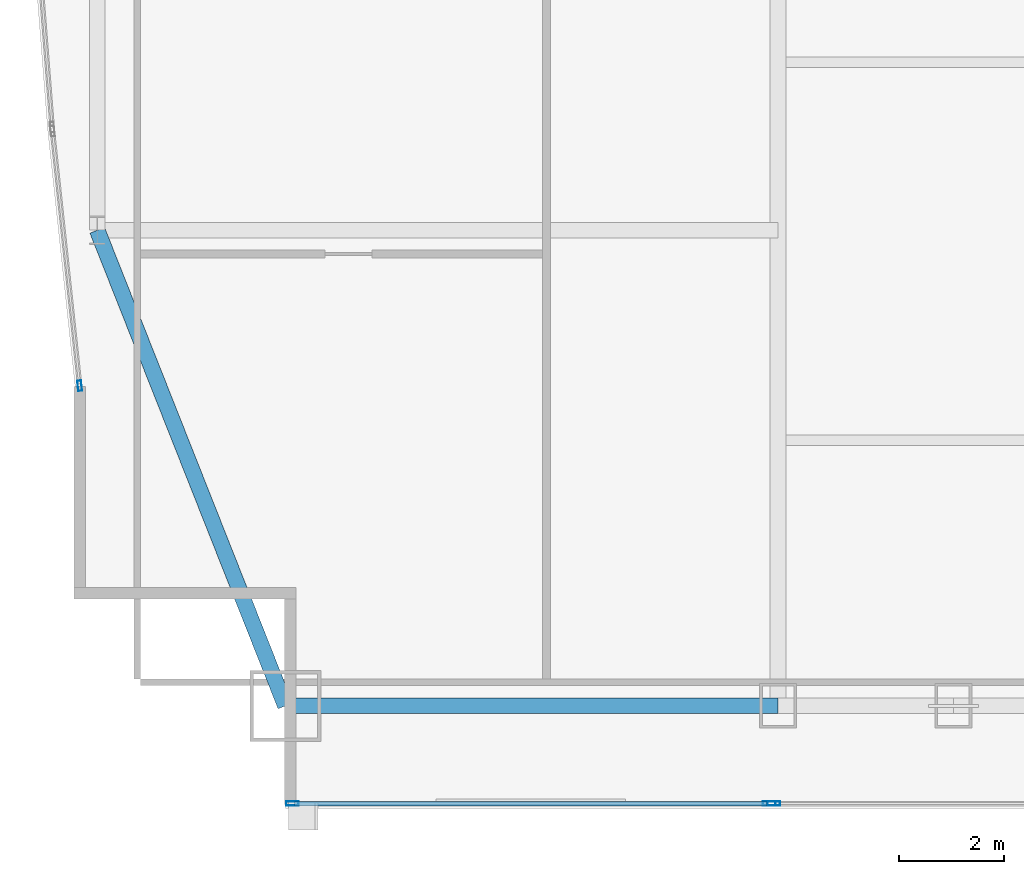
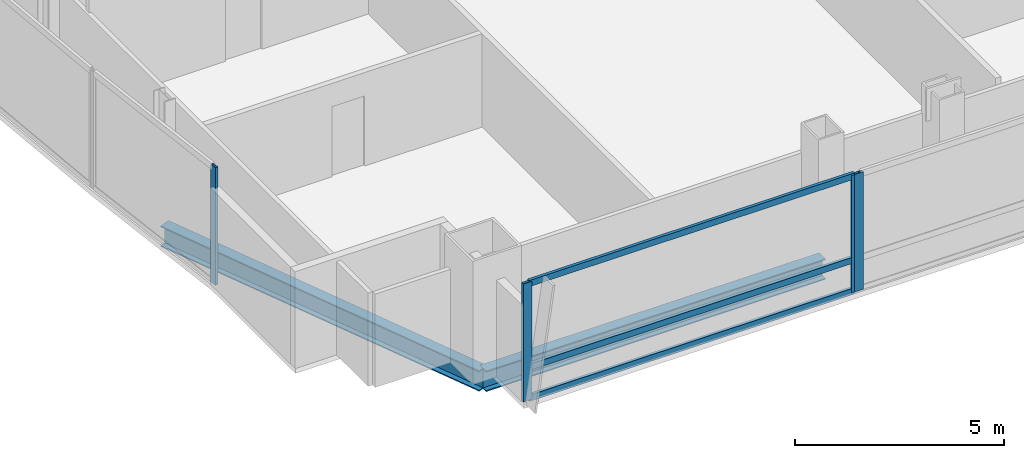
# One storey, part 5 of 29: 7 members, 2 beams, 3 elements without a shape of their own.
"""IFC4 building model written with IfcOpenShell, lengths in metres."""

import ifcopenshell
import ifcopenshell.guid

model = None  # the IFC model being written
_history = None  # IfcOwnerHistory: only IFC2X3 demands one
_inside = {}  # id of a spatial element -> (the spatial element, [elements in it])
_under = {}  # id of a project, library or spatial element -> (it, [spatial elements below it])
_declared = {}  # id of a project -> (the project, [libraries it declares])
_typed = {}  # id of a type object -> (the type object, [elements of that type])
_made_of = {}  # id of a material, layer set ... -> (it, [elements and type objects made of it])


def new_model(schema):
    """Start an empty IFC model of exactly this schema.

    Asked for "IFC4X3", IfcOpenShell would pick the latest addendum, in which some entities
    have other attributes; the version numbers below select the first issue.
    IFC2X3 requires an IfcOwnerHistory on every rooted entity: one is made here for all.
    """
    global model, _history
    if schema == "IFC4X3":
        model = ifcopenshell.file(schema_version=(4, 3, 0, 0))
    else:
        model = ifcopenshell.file(schema=schema)
    _inside.clear()
    _under.clear()
    _declared.clear()
    _typed.clear()
    _made_of.clear()
    _history = None
    if model.schema == "IFC2X3":
        org = make("IfcOrganization", Name="unknown")
        user = make(
            "IfcPersonAndOrganization",
            ThePerson=make("IfcPerson", FamilyName="unknown"),
            TheOrganization=org,
        )
        app = make(
            "IfcApplication",
            ApplicationDeveloper=org,
            Version="unknown",
            ApplicationFullName="unknown",
            ApplicationIdentifier="unknown",
        )
        _history = make(
            "IfcOwnerHistory",
            OwningUser=user,
            OwningApplication=app,
            ChangeAction="ADDED",
            CreationDate=0,
        )
    return model


def make(cls, **values):
    """One entity of the class cls with the attributes given. An attribute that is None is left unset."""
    return model.create_entity(
        cls, **{name: value for name, value in values.items() if value is not None}
    )


def rooted(cls, **values):
    """An entity with a GlobalId (a new one), such as an element, a storey or a relation."""
    return make(cls, GlobalId=ifcopenshell.guid.new(), OwnerHistory=_history, **values)


def si_unit(unit_type, name, prefix=None):
    """IfcSIUnit, for example si_unit("LENGTHUNIT", "METRE", prefix="MILLI")."""
    return make("IfcSIUnit", UnitType=unit_type, Prefix=prefix, Name=name)


def assignment(units):
    """IfcUnitAssignment: the units of a project."""
    return None if units is None else make("IfcUnitAssignment", Units=units)


def point(xyz):
    """IfcCartesianPoint."""
    return None if xyz is None else make("IfcCartesianPoint", Coordinates=xyz)


def direction(xyz):
    """IfcDirection."""
    return None if xyz is None else make("IfcDirection", DirectionRatios=xyz)


def frame(location, z_axis=None, x_axis=None):
    """IfcAxis2Placement3D, a coordinate frame: its origin and axes. An axis left out is left unset."""
    return make(
        "IfcAxis2Placement3D",
        Location=point(location),
        Axis=direction(z_axis),
        RefDirection=direction(x_axis),
    )


def frame_2d(location, x_axis=None):
    """IfcAxis2Placement2D, a coordinate frame in the plane: its origin and x axis."""
    return make(
        "IfcAxis2Placement2D", Location=point(location), RefDirection=direction(x_axis)
    )


def origin():
    """The frame at (0, 0, 0) with its axes left unset."""
    return frame((0.0, 0.0, 0.0))


def origin_2d():
    """The frame at (0, 0) in the plane with its x axis left unset."""
    return frame_2d((0.0, 0.0))


def place(relative_to, where):
    """IfcLocalPlacement: puts the frame where relative to a parent placement (None: the world)."""
    return make(
        "IfcLocalPlacement", PlacementRelTo=relative_to, RelativePlacement=where
    )


def context(
    kind, dimensions, precision=None, world=None, true_north=None, identifier=None
):
    """IfcGeometricRepresentationContext, for example the 3D "Model" context."""
    return make(
        "IfcGeometricRepresentationContext",
        ContextIdentifier=identifier,
        ContextType=kind,
        CoordinateSpaceDimension=dimensions,
        Precision=precision,
        WorldCoordinateSystem=world,
        TrueNorth=true_north,
    )


def subcontext(parent, identifier, kind, view, scale=None):
    """IfcGeometricRepresentationSubContext, for example "Body" below "Model"."""
    return make(
        "IfcGeometricRepresentationSubContext",
        ContextIdentifier=identifier,
        ContextType=kind,
        ParentContext=parent,
        TargetScale=scale,
        TargetView=view,
    )


def project(units=None, contexts=None):
    """IfcProject with its units and contexts."""
    return rooted(
        "IfcProject",
        Name="project",
        RepresentationContexts=contexts,
        UnitsInContext=assignment(units),
    )


def spatial(cls, under=None, at=None, **own):
    """A site, building, storey or space (cls), placed at a placement, below another one or the project."""
    s = rooted(cls, ObjectPlacement=at, **own)
    if under is not None:
        _under.setdefault(under.id(), (under, []))[1].append(s)
    return s


def profile(cls, at=None, kind="AREA", **sizes):
    """A parametric profile (cls). Its sizes go by their IFC names, for example OverallWidth=200.0."""
    return make(cls, ProfileType=kind, Position=at, **sizes)


def hollow_rectangle(**sizes):
    """IfcRectangleHollowProfileDef."""
    return profile("IfcRectangleHollowProfileDef", **sizes)


def i_section(**sizes):
    """IfcIShapeProfileDef."""
    return profile("IfcIShapeProfileDef", **sizes)


def extrude(swept, where, along, depth):
    """IfcExtrudedAreaSolid: the profile swept, set in the frame where, extruded along a direction by depth."""
    return make(
        "IfcExtrudedAreaSolid",
        SweptArea=swept,
        Position=where,
        ExtrudedDirection=direction(along),
        Depth=depth,
    )


def shape(context_of_items, identifier, shape_type, items):
    """IfcShapeRepresentation: the items that make up one representation, for example the "Body"."""
    return make(
        "IfcShapeRepresentation",
        ContextOfItems=context_of_items,
        RepresentationIdentifier=identifier,
        RepresentationType=shape_type,
        Items=items,
    )


def material(Name=None, Category=None):
    """IfcMaterial."""
    return make("IfcMaterial", Name=Name, Category=Category)


def material_profile(
    of_material, cross_section, Name=None, Category=None, Priority=None
):
    """IfcMaterialProfile: a cross section and its material."""
    return make(
        "IfcMaterialProfile",
        Name=Name,
        Material=of_material,
        Profile=cross_section,
        Priority=Priority,
        Category=Category,
    )


def profile_set(profiles, Name=None, composite=None):
    """IfcMaterialProfileSet."""
    return make(
        "IfcMaterialProfileSet",
        Name=Name,
        MaterialProfiles=profiles,
        CompositeProfile=composite,
    )


def made_of(thing, what):
    """Note that an element or type object is made of a material, layer set ...; save() writes the relation."""
    if what is not None:
        _made_of.setdefault(what.id(), (what, []))[1].append(thing)
    return thing


def type_object(cls, material=None, **own):
    """A type object (cls), such as IfcWallType, which elements share."""
    return made_of(rooted(cls, **own), material)


def element(
    cls,
    number,
    at=None,
    inside=None,
    cuts=None,
    type_object=None,
    material=None,
    context=None,
    identifier="Body",
    shape_type=None,
    held_by="IfcProductDefinitionShape",
    body=None,
    shapes=None,
    **own,
):
    """One element of the class cls, such as IfcWall. Its Tag is "e" and its number.

    at: its placement. inside: the storey or other place that contains it. cuts: it is an
    opening in that element (IfcRelVoidsElement). A single representation is given by context,
    identifier, shape_type and body (its items); several are given by shapes. held_by: the class
    of the entity that holds the representations. save() writes the other relations.
    """
    e = rooted(cls, Tag="e%d" % number, ObjectPlacement=at, **own)
    if body is not None:
        shapes = [shape(context, identifier, shape_type, body)]
    if shapes is not None:
        e.Representation = make(held_by, Representations=shapes)
    if inside is not None:
        _inside.setdefault(inside.id(), (inside, []))[1].append(e)
    if cuts is not None:
        rooted(
            "IfcRelVoidsElement", RelatingBuildingElement=cuts, RelatedOpeningElement=e
        )
    if type_object is not None:
        _typed.setdefault(type_object.id(), (type_object, []))[1].append(e)
    return made_of(e, material)


def aggregate(whole, parts):
    """IfcRelAggregates: a whole, such as a stair, and the parts it consists of."""
    return rooted("IfcRelAggregates", RelatingObject=whole, RelatedObjects=parts)


def save(model, path):
    """Write the relations noted so far, then the file.

    IfcRelAggregates (storeys below a building ...), IfcRelContainedInSpatialStructure (elements
    in a storey), IfcRelDefinesByType, IfcRelAssociatesMaterial and IfcRelDeclares: one each for
    every whole, place, type object, material and project.
    """
    for whole, parts in _under.values():
        aggregate(whole, parts)
    for where, things in _inside.values():
        rooted(
            "IfcRelContainedInSpatialStructure",
            RelatedElements=things,
            RelatingStructure=where,
        )
    for kind, things in _typed.values():
        rooted("IfcRelDefinesByType", RelatedObjects=things, RelatingType=kind)
    for what, things in _made_of.values():
        rooted("IfcRelAssociatesMaterial", RelatedObjects=things, RelatingMaterial=what)
    for by, libraries in _declared.values():
        rooted("IfcRelDeclares", RelatingContext=by, RelatedDefinitions=libraries)
    model.write(path)


model = new_model("IFC4")

# Units and contexts
model_context = context("Model", 3, precision=1e-05, world=origin(), true_north=direction((0.0, 1.0)))
body_context = subcontext(model_context, "Body", "Model", "MODEL_VIEW")
ifc_project = project(units=[si_unit("LENGTHUNIT", "METRE"), si_unit("AREAUNIT", "SQUARE_METRE"), si_unit("VOLUMEUNIT", "CUBIC_METRE"), si_unit("PLANEANGLEUNIT", "RADIAN"), si_unit("MASSUNIT", "GRAM", prefix="KILO")], contexts=[model_context])

# Site, building, storey
site_placement = place(None, origin())
site = spatial("IfcSite", under=ifc_project, at=site_placement, CompositionType="ELEMENT")
building_placement = place(site_placement, origin())
building = spatial("IfcBuilding", under=site, at=building_placement, Name="Khoronbel Lancet Exchange", CompositionType="ELEMENT")
storey_placement = place(building_placement, frame((0.0, 0.0, 143.39990234375)))
storey = spatial("IfcBuildingStorey", under=building, at=storey_placement, Name="L35", CompositionType="ELEMENT", Elevation=143.39990234375)

# Beams
ifc_material_1 = material(Name="Steel S355", Category="steel")
ifc_material_profile_1 = material_profile(ifc_material_1, i_section(OverallWidth=0.300048828125, OverallDepth=0.60009765625, WebThickness=0.015380859375, FlangeThickness=0.030029296875, at=origin_2d()), Name="HEB 600")
ifc_profile_set_1 = profile_set([ifc_material_profile_1], Name="Steel S355")
beam_type = type_object("IfcBeamType", Name="BM-BSP2", PredefinedType="SPANDREL", material=ifc_profile_set_1)
beam_1_placement = place(storey_placement, frame((8.85009765625, 10.14990234375, -0.4599609375), z_axis=(1.0, 0.0, 0.0), x_axis=(0.0, 1.0, 0.0)))
element("IfcBeam", 1, at=beam_1_placement, inside=storey, type_object=beam_type, Name="Level L35 perimeter spandrel beam SP01", PredefinedType="SPANDREL", context=body_context, shape_type="SweptSolid", body=[
    extrude(i_section(OverallWidth=0.300048828125, OverallDepth=0.60009765625, WebThickness=0.015380859375, FlangeThickness=0.030029296875, at=origin_2d()), origin(), (0.0, 0.0, 1.0), 9.375),
])
beam_2_placement = place(storey_placement, frame((5.27001953125, 19.199951171875, -0.4599609375), z_axis=(0.367850095026, -0.92988510451, 0.0), x_axis=(0.92988510451, 0.367850095026, 0.0)))
element("IfcBeam", 2, at=beam_2_placement, inside=storey, type_object=beam_type, Name="Level L35 perimeter spandrel beam SP21", PredefinedType="SPANDREL", context=body_context, shape_type="SweptSolid", body=[
    extrude(i_section(OverallWidth=0.300048828125, OverallDepth=0.60009765625, WebThickness=0.015380859375, FlangeThickness=0.030029296875, at=origin_2d()), origin(), (0.0, 0.0, 1.0), 9.732421875),
])

# Curtain wall, members
ifc_material_2 = material(Name="Low-E Solar Control Insulating Glass", Category="glass")
curtain_wall_type_1 = type_object("IfcCurtainWallType", Name="CW-3", PredefinedType="NOTDEFINED", material=ifc_material_2)
curtain_wall_1_placement = place(storey_placement, origin())
curtain_wall_1 = element("IfcCurtainWall", 3, at=curtain_wall_1_placement, inside=storey, type_object=curtain_wall_type_1, Name="Unitised curtain wall CW-L35-SWV", PredefinedType="NOTDEFINED")
ifc_material_3 = material(Name="Bronze-Anodised Aluminium 6063-T6", Category="aluminium")
ifc_material_profile_2 = material_profile(ifc_material_3, hollow_rectangle(XDim=0.0849609375, YDim=0.239990234375, WallThickness=0.006103515625, at=origin_2d()), Name="ALU MULLION 85x240")
ifc_profile_set_2 = profile_set([ifc_material_profile_2], Name="Bronze-Anodised Aluminium 6063-T6")
member_type_1 = type_object("IfcMemberType", Name="MEM-CWM1", PredefinedType="MULLION", material=ifc_profile_set_2)
member_1_placement = place(storey_placement, frame((8.982421875, 8.2900390625, 0.0), z_axis=(0.0, 0.0, 1.0), x_axis=(0.0, 1.0, 0.0)))
member_1 = element("IfcMember", 4, at=member_1_placement, type_object=member_type_1, Name="CW3 mullion 1", PredefinedType="MULLION", context=body_context, shape_type="SweptSolid", body=[
    extrude(hollow_rectangle(XDim=0.0849609375, YDim=0.239990234375, WallThickness=0.006103515625, at=origin_2d()), origin(), (0.0, 0.0, 1.0), 3.440185546875),
])
member_2_placement = place(storey_placement, frame((18.0576171875, 8.2900390625, 0.0), z_axis=(0.0, 0.0, 1.0), x_axis=(0.0, 1.0, 0.0)))
member_2 = element("IfcMember", 5, at=member_2_placement, type_object=member_type_1, Name="CW3 mullion 2", PredefinedType="MULLION", context=body_context, shape_type="SweptSolid", body=[
    extrude(hollow_rectangle(XDim=0.0849609375, YDim=0.239990234375, WallThickness=0.006103515625, at=origin_2d()), origin(), (0.0, 0.0, 1.0), 3.440185546875),
])

# Curtain wall, member
curtain_wall_2_placement = place(storey_placement, origin())
curtain_wall_2 = element("IfcCurtainWall", 6, at=curtain_wall_2_placement, inside=storey, type_object=curtain_wall_type_1, Name="Unitised curtain wall CW-L35-SWB", PredefinedType="NOTDEFINED")
member_3_placement = place(storey_placement, frame((18.142578125, 8.2900390625, 0.0), z_axis=(0.0, 0.0, 1.0), x_axis=(0.0, 1.0, 0.0)))
member_3 = element("IfcMember", 7, at=member_3_placement, type_object=member_type_1, Name="CW3 mullion 1", PredefinedType="MULLION", context=body_context, shape_type="SweptSolid", body=[
    extrude(hollow_rectangle(XDim=0.0849609375, YDim=0.239990234375, WallThickness=0.006103515625, at=origin_2d()), origin(), (0.0, 0.0, 1.0), 3.440185546875),
])
aggregate(curtain_wall_2, [member_3])

curtain_wall_type_2 = type_object("IfcCurtainWallType", Name="CW-4", PredefinedType="NOTDEFINED", material=ifc_material_2)
curtain_wall_3_placement = place(storey_placement, origin())
curtain_wall_3 = element("IfcCurtainWall", 8, at=curtain_wall_3_placement, inside=storey, type_object=curtain_wall_type_2, Name="Unitised curtain wall CW-L35-E04", PredefinedType="NOTDEFINED")
ifc_material_profile_3 = material_profile(ifc_material_3, hollow_rectangle(XDim=0.074951171875, YDim=0.199951171875, WallThickness=0.0048828125, at=origin_2d()), Name="ALU MULLION 75x200")
ifc_profile_set_3 = profile_set([ifc_material_profile_3], Name="Bronze-Anodised Aluminium 6063-T6")
member_type_2 = type_object("IfcMemberType", Name="MEM-CWM2", PredefinedType="MULLION", material=ifc_profile_set_3)
member_4_placement = place(storey_placement, frame((4.93603515625, 16.2421875, 0.0), z_axis=(0.0, 0.0, 1.0), x_axis=(-0.994346859972, -0.106180610586, 0.0)))
member_4 = element("IfcMember", 9, at=member_4_placement, type_object=member_type_2, Name="CW4 mullion 1", PredefinedType="MULLION", context=body_context, shape_type="SweptSolid", body=[
    extrude(hollow_rectangle(XDim=0.074951171875, YDim=0.199951171875, WallThickness=0.0048828125, at=origin_2d()), origin(), (0.0, 0.0, 1.0), 3.440185546875),
])
aggregate(curtain_wall_3, [member_4])

# Member
ifc_material_profile_4 = material_profile(ifc_material_3, hollow_rectangle(XDim=0.0849609375, YDim=0.179931640625, WallThickness=0.0048828125, at=origin_2d()), Name="ALU TRANSOM 85x180")
ifc_profile_set_4 = profile_set([ifc_material_profile_4], Name="Bronze-Anodised Aluminium 6063-T6")
member_type_3 = type_object("IfcMemberType", Name="MEM-CWT1", PredefinedType="USERDEFINED", material=ifc_profile_set_4)
member_5_placement = place(storey_placement, frame((9.02490234375, 8.2900390625, 0.04248046875), z_axis=(1.0, 0.0, 0.0), x_axis=(0.0, 1.0, 0.0)))
member_5 = element("IfcMember", 10, at=member_5_placement, type_object=member_type_3, Name="CW3 transom 1.1", ObjectType="TRANSOM", PredefinedType="USERDEFINED", context=body_context, shape_type="SweptSolid", body=[
    extrude(hollow_rectangle(XDim=0.0849609375, YDim=0.179931640625, WallThickness=0.0048828125, at=origin_2d()), origin(), (0.0, 0.0, 1.0), 8.989990234375),
])

member_6_placement = place(storey_placement, frame((9.02490234375, 8.2900390625, 0.9501953125), z_axis=(1.0, 0.0, 0.0), x_axis=(0.0, 1.0, 0.0)))
member_6 = element("IfcMember", 11, at=member_6_placement, type_object=member_type_3, Name="CW3 transom 1.2", ObjectType="TRANSOM", PredefinedType="USERDEFINED", context=body_context, shape_type="SweptSolid", body=[
    extrude(hollow_rectangle(XDim=0.0849609375, YDim=0.179931640625, WallThickness=0.0048828125, at=origin_2d()), origin(), (0.0, 0.0, 1.0), 8.989990234375),
])

member_7_placement = place(storey_placement, frame((9.02490234375, 8.2900390625, 3.397705078125), z_axis=(1.0, 0.0, 0.0), x_axis=(0.0, 1.0, 0.0)))
member_7 = element("IfcMember", 12, at=member_7_placement, type_object=member_type_3, Name="CW3 transom 1.3", ObjectType="TRANSOM", PredefinedType="USERDEFINED", context=body_context, shape_type="SweptSolid", body=[
    extrude(hollow_rectangle(XDim=0.0849609375, YDim=0.179931640625, WallThickness=0.0048828125, at=origin_2d()), origin(), (0.0, 0.0, 1.0), 8.989990234375),
])

aggregate(curtain_wall_1, [member_1, member_2, member_5, member_6, member_7])

save(model, "model.ifc")
